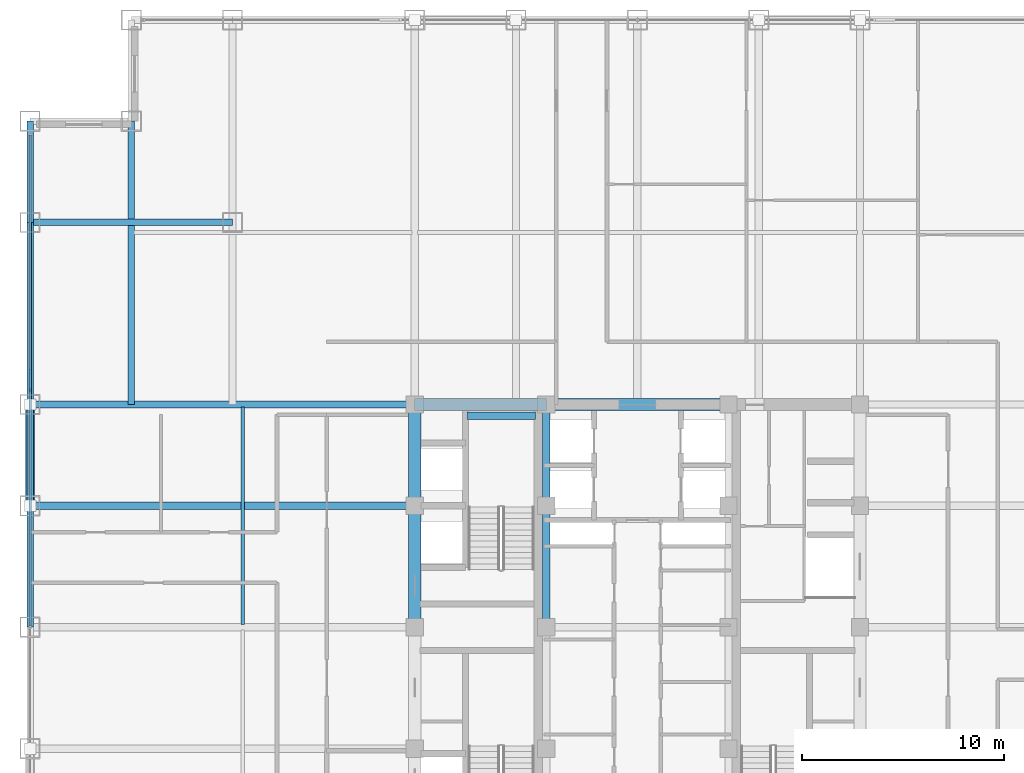
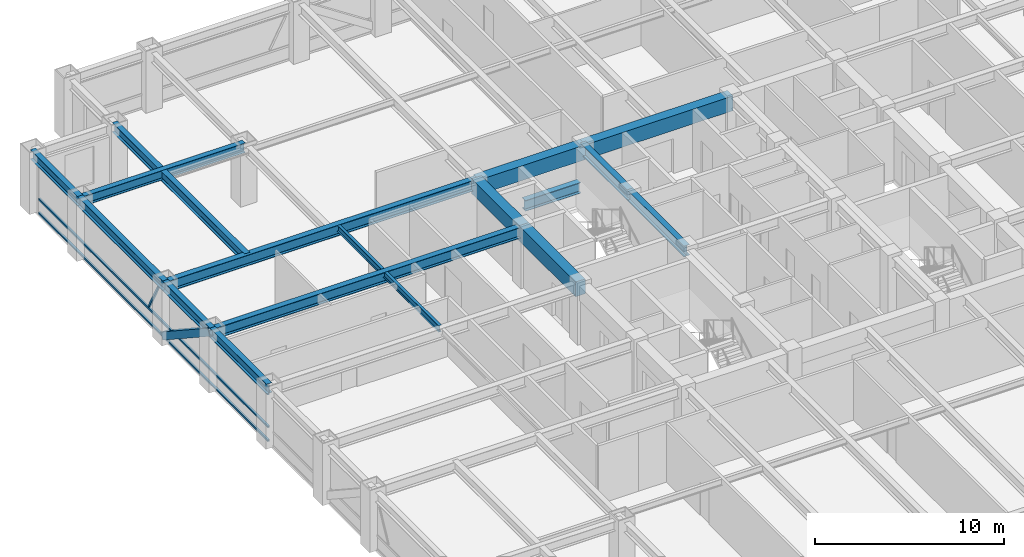
# One storey, part 11 of 25: 16 beams, 5 members, 1 element without a shape of its own.
"""IFC4 building model written with IfcOpenShell, lengths in metres."""

from ifc_helpers import new_model, si_unit, direction, frame, origin, origin_2d, place, context, subcontext, project, spatial, rectangle, hollow_rectangle, i_section, extrude, source, transform, mapped, material, material_profile, profile_set, type_object, element, aggregate, save


model = new_model("IFC4")

# Units and contexts
model_context = context("Model", 3, precision=1e-05, world=origin(), true_north=direction((0.0, 1.0)))
body_context = subcontext(model_context, "Body", "Model", "MODEL_VIEW")
ifc_project = project(units=[si_unit("LENGTHUNIT", "METRE"), si_unit("AREAUNIT", "SQUARE_METRE"), si_unit("VOLUMEUNIT", "CUBIC_METRE"), si_unit("PLANEANGLEUNIT", "RADIAN"), si_unit("MASSUNIT", "GRAM", prefix="KILO")], contexts=[model_context])

# Site, building, storey
site_placement = place(None, origin())
site = spatial("IfcSite", under=ifc_project, at=site_placement, CompositionType="ELEMENT")
building_placement = place(site_placement, origin())
building = spatial("IfcBuilding", under=site, at=building_placement, Name="Khorayat Bourse Tower", CompositionType="ELEMENT")
storey_placement = place(building_placement, frame((0.0, 0.0, 255.10009765625)))
storey = spatial("IfcBuildingStorey", under=building, at=storey_placement, Name="L60", CompositionType="ELEMENT", Elevation=255.10009765625)

# Beams
ifc_material_1 = material(Name="Steel ASTM A992 Grade 50", Category="steel")
ifc_material_profile_1 = material_profile(ifc_material_1, i_section(OverallWidth=0.35498046875, OverallDepth=0.695068359375, WebThickness=0.015380859375, FlangeThickness=0.02490234375, FilletRadius=0.01806640625, at=origin_2d()), Name="W690X217")
ifc_profile_set_1 = profile_set([ifc_material_profile_1], Name="Steel ASTM A992 Grade 50")
beam_type_1 = type_object("IfcBeamType", Name="BM-GIRD-690", PredefinedType="BEAM", material=ifc_profile_set_1)
shared_shape_1 = source(origin(), body_context, "Body", "SweptSolid", [
    extrude(i_section(OverallWidth=0.35498046875, OverallDepth=0.695068359375, WebThickness=0.015380859375, FlangeThickness=0.02490234375, FilletRadius=0.01806640625, at=origin_2d()), origin(), (0.0, 0.0, 1.0), 5.0),
])
beam_1_placement = place(storey_placement, frame((-4.5, 6.0, 3.432373046875), z_axis=(0.0, 1.0, 0.0), x_axis=(-1.0, 0.0, 0.0)))
element("IfcBeam", 1, at=beam_1_placement, inside=storey, type_object=beam_type_1, Name="L60 BM-GIRD-690 BM-L60-CRX-08", PredefinedType="BEAM", context=body_context, shape_type="MappedRepresentation", body=[
    mapped(shared_shape_1, transform((0.0, 0.0, 0.0), scale=1.0)),
])
shared_shape_2 = source(origin(), body_context, "Body", "SweptSolid", [
    extrude(i_section(OverallWidth=0.35498046875, OverallDepth=0.695068359375, WebThickness=0.015380859375, FlangeThickness=0.02490234375, FilletRadius=0.01806640625, at=origin_2d()), origin(), (0.0, 0.0, 1.0), 6.0),
])
beam_2_placement = place(storey_placement, frame((-4.5, 0.0, 3.432373046875), z_axis=(0.0, 1.0, 0.0), x_axis=(-1.0, 0.0, 0.0)))
element("IfcBeam", 2, at=beam_2_placement, inside=storey, type_object=beam_type_1, Name="L60 BM-GIRD-690 BM-L60-CRX-07", PredefinedType="BEAM", context=body_context, shape_type="MappedRepresentation", body=[
    mapped(shared_shape_2, transform((0.0, 0.0, 0.0), scale=1.0)),
])
shared_shape_3 = source(origin(), body_context, "Body", "SweptSolid", [
    extrude(i_section(OverallWidth=0.35498046875, OverallDepth=0.695068359375, WebThickness=0.015380859375, FlangeThickness=0.02490234375, FilletRadius=0.01806640625, at=origin_2d()), origin(), (0.0, 0.0, 1.0), 3.39990234375),
])
beam_3_placement = place(storey_placement, frame((-8.419921875, 10.449951171875, 1.452392578125), z_axis=(1.0, 0.0, 0.0), x_axis=(0.0, 1.0, 0.0)))
element("IfcBeam", 3, at=beam_3_placement, inside=storey, type_object=beam_type_1, Name="L60 BM-GIRD-690 BM-L60-ST2L", PredefinedType="BEAM", context=body_context, shape_type="MappedRepresentation", body=[
    mapped(shared_shape_3, transform((0.0, 0.0, 0.0), scale=1.0)),
])
ifc_material_profile_2 = material_profile(ifc_material_1, i_section(OverallWidth=0.324951171875, OverallDepth=0.615966796875, WebThickness=0.013916015625, FlangeThickness=0.021484375, FilletRadius=0.01611328125, at=origin_2d()), Name="W610X174")
ifc_profile_set_2 = profile_set([ifc_material_profile_2], Name="Steel ASTM A992 Grade 50")
beam_type_2 = type_object("IfcBeamType", Name="BM-GIRD-610", PredefinedType="BEAM", material=ifc_profile_set_2)
shared_shape_4 = source(origin(), body_context, "Body", "SweptSolid", [
    extrude(i_section(OverallWidth=0.324951171875, OverallDepth=0.615966796875, WebThickness=0.013916015625, FlangeThickness=0.021484375, FilletRadius=0.01611328125, at=origin_2d()), origin(), (0.0, 0.0, 1.0), 10.0),
])
beam_4_placement = place(storey_placement, frame((-30.0, 20.0, 3.471923828125), z_axis=(1.0, 0.0, 0.0), x_axis=(0.0, 1.0, 0.0)))
element("IfcBeam", 4, at=beam_4_placement, inside=storey, type_object=beam_type_2, Name="L60 BM-GIRD-610 BM-L60-CNRX-095", PredefinedType="BEAM", context=body_context, shape_type="MappedRepresentation", body=[
    mapped(shared_shape_4, transform((0.0, 0.0, 0.0), scale=1.0)),
])
ifc_material_profile_3 = material_profile(ifc_material_1, i_section(OverallWidth=0.180908203125, OverallDepth=0.4169921875, WebThickness=0.010986328125, FlangeThickness=0.018310546875, FilletRadius=0.011962890625, at=origin_2d()), Name="W410X85")
ifc_profile_set_3 = profile_set([ifc_material_profile_3], Name="Steel ASTM A992 Grade 50")
beam_type_3 = type_object("IfcBeamType", Name="BM-JOIST-410", PredefinedType="JOIST", material=ifc_profile_set_3)
shared_shape_5 = source(origin(), body_context, "Body", "SweptSolid", [
    extrude(i_section(OverallWidth=0.180908203125, OverallDepth=0.4169921875, WebThickness=0.010986328125, FlangeThickness=0.018310546875, FilletRadius=0.011962890625, at=origin_2d()), origin(), (0.0, 0.0, 1.0), 10.740234375),
])
beam_5_placement = place(storey_placement, frame((-19.5, 0.1298828125, 3.5712890625), z_axis=(0.0, 1.0, 0.0), x_axis=(-1.0, 0.0, 0.0)))
element("IfcBeam", 5, at=beam_5_placement, inside=storey, type_object=beam_type_3, Name="L60 BM-JOIST-410 BM-L60-JSTY-103", PredefinedType="JOIST", context=body_context, shape_type="MappedRepresentation", body=[
    mapped(shared_shape_5, transform((0.0, 0.0, 0.0), scale=1.0)),
])
ifc_material_profile_4 = material_profile(ifc_material_1, i_section(OverallWidth=0.324951171875, OverallDepth=0.615966796875, WebThickness=0.013916015625, FlangeThickness=0.021484375, FilletRadius=0.01611328125, at=origin_2d()), Name="W610X174")
ifc_profile_set_4 = profile_set([ifc_material_profile_4], Name="Steel ASTM A992 Grade 50")
beam_type_4 = type_object("IfcBeamType", Name="BM-SPAN-610", PredefinedType="SPANDREL", material=ifc_profile_set_4)
shared_shape_6 = source(origin(), body_context, "Body", "SweptSolid", [
    extrude(i_section(OverallWidth=0.324951171875, OverallDepth=0.615966796875, WebThickness=0.013916015625, FlangeThickness=0.021484375, FilletRadius=0.01611328125, at=origin_2d()), origin(), (0.0, 0.0, 1.0), 9.0),
])
beam_6_placement = place(storey_placement, frame((-30.0, 11.0, 3.471923828125), z_axis=(0.0, 1.0, 0.0), x_axis=(-1.0, 0.0, 0.0)))
element("IfcBeam", 6, at=beam_6_placement, inside=storey, type_object=beam_type_4, Name="L60 BM-SPAN-610 BM-L60-SPN-055", PredefinedType="SPANDREL", context=body_context, shape_type="MappedRepresentation", body=[
    mapped(shared_shape_6, transform((0.0, 0.0, 0.0), scale=1.0)),
])
shared_shape_7 = source(origin(), body_context, "Body", "SweptSolid", [
    extrude(i_section(OverallWidth=0.324951171875, OverallDepth=0.615966796875, WebThickness=0.013916015625, FlangeThickness=0.021484375, FilletRadius=0.01611328125, at=origin_2d()), origin(), (0.0, 0.0, 1.0), 5.0),
])
for number, where, z_axis, x_axis, name in (
    (7, (-30.0, 20.0, 3.471923828125), (0.0, 1.0, 0.0), (-1.0, 0.0, 0.0), "L60 BM-SPAN-610 BM-L60-SPN-054"),
    (8, (-30.0, 6.0, 3.471923828125), (0.0, 1.0, 0.0), (-1.0, 0.0, 0.0), "L60 BM-SPAN-610 BM-L60-SPN-056"),
):
    element("IfcBeam", number, at=place(storey_placement, frame(where, z_axis=z_axis, x_axis=x_axis)), inside=storey, type_object=beam_type_4, Name=name, PredefinedType="SPANDREL", context=body_context, shape_type="MappedRepresentation", body=[
        mapped(shared_shape_7, transform((0.0, 0.0, 0.0), scale=1.0)),
    ])
shared_shape_8 = source(origin(), body_context, "Body", "SweptSolid", [
    extrude(i_section(OverallWidth=0.324951171875, OverallDepth=0.615966796875, WebThickness=0.013916015625, FlangeThickness=0.021484375, FilletRadius=0.01611328125, at=origin_2d()), origin(), (0.0, 0.0, 1.0), 6.0),
])
beam_7_placement = place(storey_placement, frame((-30.0, 0.0, 3.471923828125), z_axis=(0.0, 1.0, 0.0), x_axis=(-1.0, 0.0, 0.0)))
element("IfcBeam", 9, at=beam_7_placement, inside=storey, type_object=beam_type_4, Name="L60 BM-SPAN-610 BM-L60-SPN-057", PredefinedType="SPANDREL", context=body_context, shape_type="MappedRepresentation", body=[
    mapped(shared_shape_8, transform((0.0, 0.0, 0.0), scale=1.0)),
])
ifc_material_2 = material(Name="Concrete C60/75", Category="concrete")
ifc_material_profile_5 = material_profile(ifc_material_2, rectangle(XDim=0.60009765625, YDim=0.949951171875, at=origin_2d()), Name="RC 600x950")
ifc_profile_set_5 = profile_set([ifc_material_profile_5], Name="Concrete C60/75")
beam_type_5 = type_object("IfcBeamType", Name="BM-COUP-950", PredefinedType="BEAM", material=ifc_profile_set_5)
shared_shape_9 = source(origin(), body_context, "Body", "SweptSolid", [
    extrude(rectangle(XDim=0.60009765625, YDim=0.949951171875, at=origin_2d()), origin(), (0.0, 0.0, 1.0), 5.0),
])
beam_8_placement = place(storey_placement, frame((-11.0, 6.0, 3.304931640625), z_axis=(0.0, 1.0, 0.0), x_axis=(-1.0, 0.0, 0.0)))
element("IfcBeam", 10, at=beam_8_placement, inside=storey, type_object=beam_type_5, Name="L60 BM-COUP-950 BM-L60-CRX-04", PredefinedType="BEAM", context=body_context, shape_type="MappedRepresentation", body=[
    mapped(shared_shape_9, transform((0.0, 0.0, 0.0), scale=1.0)),
])
shared_shape_10 = source(origin(), body_context, "Body", "SweptSolid", [
    extrude(rectangle(XDim=0.60009765625, YDim=0.949951171875, at=origin_2d()), origin(), (0.0, 0.0, 1.0), 6.0),
])
beam_9_placement = place(storey_placement, frame((-11.0, 0.0, 3.304931640625), z_axis=(0.0, 1.0, 0.0), x_axis=(-1.0, 0.0, 0.0)))
element("IfcBeam", 11, at=beam_9_placement, inside=storey, type_object=beam_type_5, Name="L60 BM-COUP-950 BM-L60-CRX-03", PredefinedType="BEAM", context=body_context, shape_type="MappedRepresentation", body=[
    mapped(shared_shape_10, transform((0.0, 0.0, 0.0), scale=1.0)),
])
shared_shape_11 = source(origin(), body_context, "Body", "SweptSolid", [
    extrude(rectangle(XDim=0.60009765625, YDim=0.949951171875, at=origin_2d()), origin(), (0.0, 0.0, 1.0), 6.5),
])
beam_10_placement = place(storey_placement, frame((-11.0, 11.0, 3.304931640625), z_axis=(1.0, 0.0, 0.0), x_axis=(0.0, 1.0, 0.0)))
element("IfcBeam", 12, at=beam_10_placement, inside=storey, type_object=beam_type_5, Name="L60 BM-COUP-950 BM-L60-CRY-20", PredefinedType="BEAM", context=body_context, shape_type="MappedRepresentation", body=[
    mapped(shared_shape_11, transform((0.0, 0.0, 0.0), scale=1.0)),
])
shared_shape_12 = source(origin(), body_context, "Body", "SweptSolid", [
    extrude(rectangle(XDim=0.60009765625, YDim=0.949951171875, at=origin_2d()), origin(), (0.0, 0.0, 1.0), 9.0),
])
beam_11_placement = place(storey_placement, frame((-4.5, 11.0, 3.304931640625), z_axis=(1.0, 0.0, 0.0), x_axis=(0.0, 1.0, 0.0)))
element("IfcBeam", 13, at=beam_11_placement, inside=storey, type_object=beam_type_5, Name="L60 BM-COUP-950 BM-L60-CRY-21", PredefinedType="BEAM", context=body_context, shape_type="MappedRepresentation", body=[
    mapped(shared_shape_12, transform((0.0, 0.0, 0.0), scale=1.0)),
])
shared_shape_13 = source(origin(), body_context, "Body", "SweptSolid", [
    extrude(i_section(OverallWidth=0.35498046875, OverallDepth=0.695068359375, WebThickness=0.015380859375, FlangeThickness=0.02490234375, FilletRadius=0.01806640625, at=origin_2d()), origin(), (0.0, 0.0, 1.0), 19.0),
])
for number, where, z_axis, x_axis, name in (
    (14, (-30.0, 6.0, 3.432373046875), (1.0, 0.0, 0.0), (0.0, 1.0, 0.0), "L60 BM-GIRD-690 BM-L60-RADX-081"),
    (15, (-30.0, 11.0, 3.432373046875), (1.0, 0.0, 0.0), (0.0, 1.0, 0.0), "L60 BM-GIRD-690 BM-L60-RADX-083"),
):
    element("IfcBeam", number, at=place(storey_placement, frame(where, z_axis=z_axis, x_axis=x_axis)), inside=storey, type_object=beam_type_1, Name=name, PredefinedType="BEAM", context=body_context, shape_type="MappedRepresentation", body=[
        mapped(shared_shape_13, transform((0.0, 0.0, 0.0), scale=1.0)),
    ])
shared_shape_14 = source(origin(), body_context, "Body", "SweptSolid", [
    extrude(i_section(OverallWidth=0.324951171875, OverallDepth=0.615966796875, WebThickness=0.013916015625, FlangeThickness=0.021484375, FilletRadius=0.01611328125, at=origin_2d()), origin(), (0.0, 0.0, 1.0), 14.0),
])
beam_12_placement = place(storey_placement, frame((-25.0, 11.0, 3.471923828125), z_axis=(0.0, 1.0, 0.0), x_axis=(-1.0, 0.0, 0.0)))
element("IfcBeam", 16, at=beam_12_placement, inside=storey, type_object=beam_type_2, Name="L60 BM-GIRD-610 BM-L60-CNRY-089", PredefinedType="BEAM", context=body_context, shape_type="MappedRepresentation", body=[
    mapped(shared_shape_14, transform((0.0, 0.0, 0.0), scale=1.0)),
])

# Member
ifc_material_3 = material(Name="Steel EN 10025-4 S460M", Category="steel")
ifc_material_profile_6 = material_profile(ifc_material_3, hollow_rectangle(XDim=0.449951171875, YDim=0.449951171875, WallThickness=0.02490234375, at=origin_2d()), Name="HSS 450x450x25")
ifc_profile_set_6 = profile_set([ifc_material_profile_6], Name="Steel EN 10025-4 S460M")
member_type_1 = type_object("IfcMemberType", Name="MBR-TUBE-450", PredefinedType="BRACE", material=ifc_profile_set_6)
shared_shape_15 = source(origin(), body_context, "Body", "SweptSolid", [
    extrude(hollow_rectangle(XDim=0.449951171875, YDim=0.449951171875, WallThickness=0.02490234375, at=origin_2d()), origin(), (0.0, 0.0, 1.0), 5.979736328125),
])
member_1_placement = place(storey_placement, frame((-30.0, 6.0, 3.52978515625), z_axis=(0.0, 0.836160261256, -0.548485202623), x_axis=(-1.0, 0.0, 0.0)))
element("IfcMember", 17, at=member_1_placement, inside=storey, type_object=member_type_1, Name="L60 Perimeter Tube Brace 06", PredefinedType="BRACE", context=body_context, shape_type="MappedRepresentation", body=[
    mapped(shared_shape_15, transform((0.0, 0.0, 0.0), scale=1.0)),
])

# Curtain wall, members
ifc_material_4 = material(Name="Aluminium EN AW-6063 T6", Category="aluminium")
curtain_wall_type = type_object("IfcCurtainWallType", Name="CW-SYS-03", PredefinedType="NOTDEFINED", material=ifc_material_4)
curtain_wall_placement = place(storey_placement, origin())
curtain_wall = element("IfcCurtainWall", 18, at=curtain_wall_placement, inside=storey, type_object=curtain_wall_type, Name="L60 Curtain Wall CW-L60-W1", PredefinedType="NOTDEFINED")
ifc_material_profile_7 = material_profile(ifc_material_4, hollow_rectangle(XDim=0.1201171875, YDim=0.1201171875, WallThickness=0.0048828125, at=origin_2d()), Name="ALU 120x120x5")
ifc_profile_set_7 = profile_set([ifc_material_profile_7], Name="Aluminium EN AW-6063 T6")
member_type_2 = type_object("IfcMemberType", Name="CWM-DIAG-120", PredefinedType="MULLION", material=ifc_profile_set_7)
shared_shape_16 = source(origin(), body_context, "Body", "SweptSolid", [
    extrude(hollow_rectangle(XDim=0.1201171875, YDim=0.1201171875, WallThickness=0.0048828125, at=origin_2d()), origin(), (0.0, 0.0, 1.0), 2.079345703125),
])
member_2_placement = place(storey_placement, frame((-30.0, 12.67919921875, 1.08984375), z_axis=(0.0, -0.465760949701, 0.884910581773), x_axis=(1.0, 0.0, 0.0)))
member_2 = element("IfcMember", 19, at=member_2_placement, type_object=member_type_2, Name="CW-L60-W1 Faceted Diagonal Mullion 2", PredefinedType="MULLION", context=body_context, shape_type="MappedRepresentation", body=[
    mapped(shared_shape_16, transform((0.0, 0.0, 0.0), scale=1.0)),
])
ifc_material_profile_8 = material_profile(ifc_material_4, hollow_rectangle(XDim=0.1201171875, YDim=0.1201171875, WallThickness=0.0048828125, at=origin_2d()), Name="ALU 120x120x5")
ifc_profile_set_8 = profile_set([ifc_material_profile_8], Name="Aluminium EN AW-6063 T6")
member_type_3 = type_object("IfcMemberType", Name="CWT-HORZ-120", PredefinedType="USERDEFINED", material=ifc_profile_set_8)
shared_shape_17 = source(origin(), body_context, "Body", "SweptSolid", [
    extrude(hollow_rectangle(XDim=0.1201171875, YDim=0.1201171875, WallThickness=0.0048828125, at=origin_2d()), origin(), (0.0, 0.0, 1.0), 24.27001953125),
])
member_3_placement = place(storey_placement, frame((-30.0, 0.06005859375, 0.059814453125), z_axis=(0.0, 1.0, 0.0), x_axis=(-1.0, 0.0, 0.0)))
member_3 = element("IfcMember", 20, at=member_3_placement, type_object=member_type_3, Name="CW-L60-W1 Horizontal Transom 2-1", ObjectType="TRANSOM", PredefinedType="USERDEFINED", context=body_context, shape_type="MappedRepresentation", body=[
    mapped(shared_shape_17, transform((0.0, 0.0, 0.0), scale=1.0)),
])
member_4_placement = place(storey_placement, frame((-30.0, 0.06005859375, 0.949951171875), z_axis=(0.0, 1.0, 0.0), x_axis=(-1.0, 0.0, 0.0)))
member_4 = element("IfcMember", 21, at=member_4_placement, type_object=member_type_3, Name="CW-L60-W1 Horizontal Transom 2-2", ObjectType="TRANSOM", PredefinedType="USERDEFINED", context=body_context, shape_type="MappedRepresentation", body=[
    mapped(shared_shape_17, transform((0.0, 0.0, 0.0), scale=1.0)),
])
member_5_placement = place(storey_placement, frame((-30.0, 0.06005859375, 3.06982421875), z_axis=(0.0, 1.0, 0.0), x_axis=(-1.0, 0.0, 0.0)))
member_5 = element("IfcMember", 22, at=member_5_placement, type_object=member_type_3, Name="CW-L60-W1 Horizontal Transom 2-3", ObjectType="TRANSOM", PredefinedType="USERDEFINED", context=body_context, shape_type="MappedRepresentation", body=[
    mapped(shared_shape_17, transform((0.0, 0.0, 0.0), scale=1.0)),
])
aggregate(curtain_wall, [member_3, member_4, member_5, member_2])

save(model, "model.ifc")
